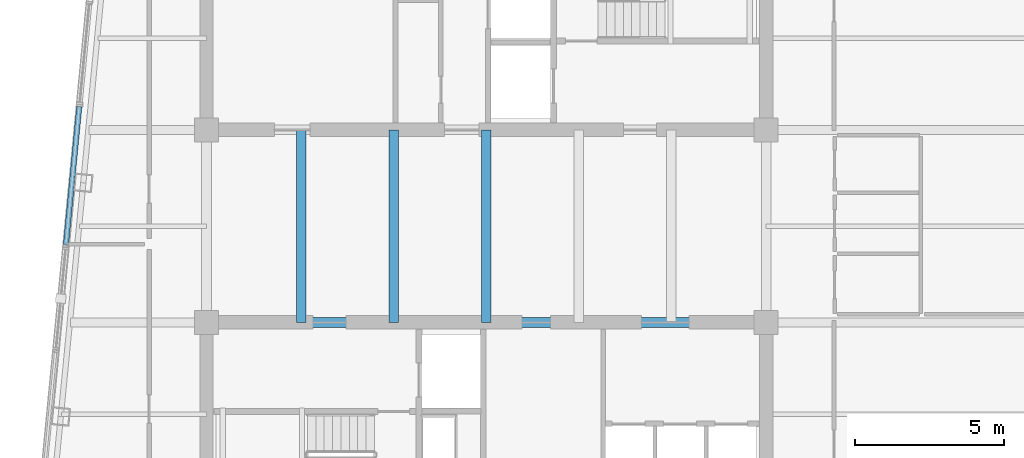
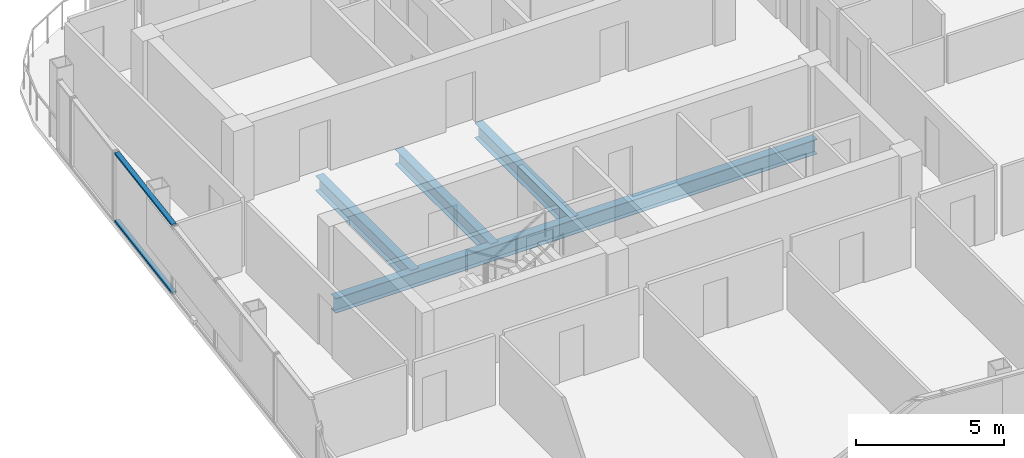
# One storey, part 10 of 27: 4 beams, 2 members, 1 element without a shape of its own.
"""IFC4 building model written with IfcOpenShell, lengths in metres."""

from ifc_helpers import new_model, si_unit, direction, frame, origin, origin_2d, place, context, subcontext, project, spatial, hollow_rectangle, i_section, extrude, material, layer, layer_set, material_profile, profile_set, type_object, element, aggregate, save


model = new_model("IFC4")

# Units and contexts
model_context = context("Model", 3, precision=1e-05, world=origin(), true_north=direction((0.0, 1.0)))
body_context = subcontext(model_context, "Body", "Model", "MODEL_VIEW")
ifc_project = project(units=[si_unit("LENGTHUNIT", "METRE"), si_unit("AREAUNIT", "SQUARE_METRE"), si_unit("VOLUMEUNIT", "CUBIC_METRE"), si_unit("PLANEANGLEUNIT", "RADIAN"), si_unit("MASSUNIT", "GRAM", prefix="KILO")], contexts=[model_context])

# Site, building, storey
site_placement = place(None, origin())
site = spatial("IfcSite", under=ifc_project, at=site_placement, CompositionType="ELEMENT")
building_placement = place(site_placement, origin())
building = spatial("IfcBuilding", under=site, at=building_placement, Name="Qhalaya Broadcast Tower", CompositionType="ELEMENT")
storey_placement = place(building_placement, frame((0.0, 0.0, 258.10009765625)))
storey = spatial("IfcBuildingStorey", under=building, at=storey_placement, Name="L76", CompositionType="ELEMENT", Elevation=258.10009765625)

# Beams
ifc_material_1 = material(Name="Structural Steel ASTM A992 Grade 50", Category="steel")
ifc_material_profile_1 = material_profile(ifc_material_1, i_section(OverallWidth=0.323974609375, OverallDepth=0.612060546875, WebThickness=0.0126953125, FlangeThickness=0.01904296875, at=origin_2d()), Name="W24X104")
ifc_profile_set_1 = profile_set([ifc_material_profile_1], Name="Structural Steel ASTM A992 Grade 50")
beam_type = type_object("IfcBeamType", Name="Core Frame Tie Beam B04", PredefinedType="BEAM", material=ifc_profile_set_1)
beam_placement = place(storey_placement, frame((-9.375, -2.625, -0.49609375), z_axis=(1.0, 0.0, 0.0), x_axis=(0.0, 1.0, 0.0)))
element("IfcBeam", 1, at=beam_placement, inside=storey, type_object=beam_type, Name="L76 B04 L76-CCS1", PredefinedType="BEAM", context=body_context, shape_type="SweptSolid", body=[
    extrude(i_section(OverallWidth=0.323974609375, OverallDepth=0.612060546875, WebThickness=0.0126953125, FlangeThickness=0.01904296875, at=origin_2d()), origin(), (0.0, 0.0, 1.0), 18.75),
])
for number, where, z_axis, x_axis, name in (
    (2, (-6.199951171875, -2.625, -0.49609375), (0.0, 1.0, 0.0), (-1.0, 0.0, 0.0), "L76 B04 L76-JC1-1"),
    (3, (-3.10009765625, -2.625, -0.49609375), (0.0, 1.0, 0.0), (-1.0, 0.0, 0.0), "L76 B04 L76-JC2-1"),
    (4, (0.0, -2.625, -0.49609375), (0.0, 1.0, 0.0), (-1.0, 0.0, 0.0), "L76 B04 L76-JC3-1"),
):
    element("IfcBeam", number, at=place(storey_placement, frame(where, z_axis=z_axis, x_axis=x_axis)), inside=storey, type_object=beam_type, Name=name, PredefinedType="BEAM", context=body_context, shape_type="SweptSolid", body=[
        extrude(i_section(OverallWidth=0.323974609375, OverallDepth=0.612060546875, WebThickness=0.0126953125, FlangeThickness=0.01904296875, at=origin_2d()), origin(), (0.0, 0.0, 1.0), 6.449951171875),
    ])

# Curtain wall, members
ifc_material_2 = material(Name="Fired Architectural Terracotta", Category="masonry")
ifc_layer = layer(ifc_material_2, 0.219970703125, Name="Fired Architectural Terracotta")
ifc_layer_set = layer_set([ifc_layer], Name="Fired Architectural Terracotta")
curtain_wall_type = type_object("IfcCurtainWallType", Name="Block-Cap Unitised Terracotta Spandrel Wall CW-07", PredefinedType="NOTDEFINED", material=ifc_layer_set)
curtain_wall_placement = place(storey_placement, origin())
curtain_wall = element("IfcCurtainWall", 5, at=curtain_wall_placement, inside=storey, type_object=curtain_wall_type, Name="L76 Unitised Curtain Wall L76-CW-W3", PredefinedType="NOTDEFINED")
ifc_material_3 = material(Name="Anodised Aluminium 6063-T6", Category="aluminium")
ifc_material_profile_2 = material_profile(ifc_material_3, hollow_rectangle(XDim=0.074951171875, YDim=0.179931640625, WallThickness=0.00390625, at=origin_2d()), Name="ALU-TRN 75x180x4")
ifc_profile_set_2 = profile_set([ifc_material_profile_2], Name="Anodised Aluminium 6063-T6")
member_type = type_object("IfcMemberType", Name="Unitised Curtain-Wall Transom T01", PredefinedType="USERDEFINED", material=ifc_profile_set_2)
member_1_placement = place(storey_placement, frame((-13.63818359375, 4.60595703125, 0.037353515625), z_axis=(-0.095865210868, -0.995394324549, 0.0), x_axis=(0.0, 0.0, 1.0)))
member_1 = element("IfcMember", 6, at=member_1_placement, type_object=member_type, Name="CW-07 transom 1.1", ObjectType="TRANSOM", PredefinedType="USERDEFINED", context=body_context, shape_type="SweptSolid", body=[
    extrude(hollow_rectangle(XDim=0.074951171875, YDim=0.179931640625, WallThickness=0.00390625, at=origin_2d()), origin(), (0.0, 0.0, 1.0), 4.657958984375),
])
member_2_placement = place(storey_placement, frame((-13.63818359375, 4.60595703125, 2.822509765625), z_axis=(-0.095865210868, -0.995394324549, 0.0), x_axis=(0.0, 0.0, 1.0)))
member_2 = element("IfcMember", 7, at=member_2_placement, type_object=member_type, Name="CW-07 transom 1.2", ObjectType="TRANSOM", PredefinedType="USERDEFINED", context=body_context, shape_type="SweptSolid", body=[
    extrude(hollow_rectangle(XDim=0.074951171875, YDim=0.179931640625, WallThickness=0.00390625, at=origin_2d()), origin(), (0.0, 0.0, 1.0), 4.657958984375),
])
aggregate(curtain_wall, [member_1, member_2])

save(model, "model.ifc")
